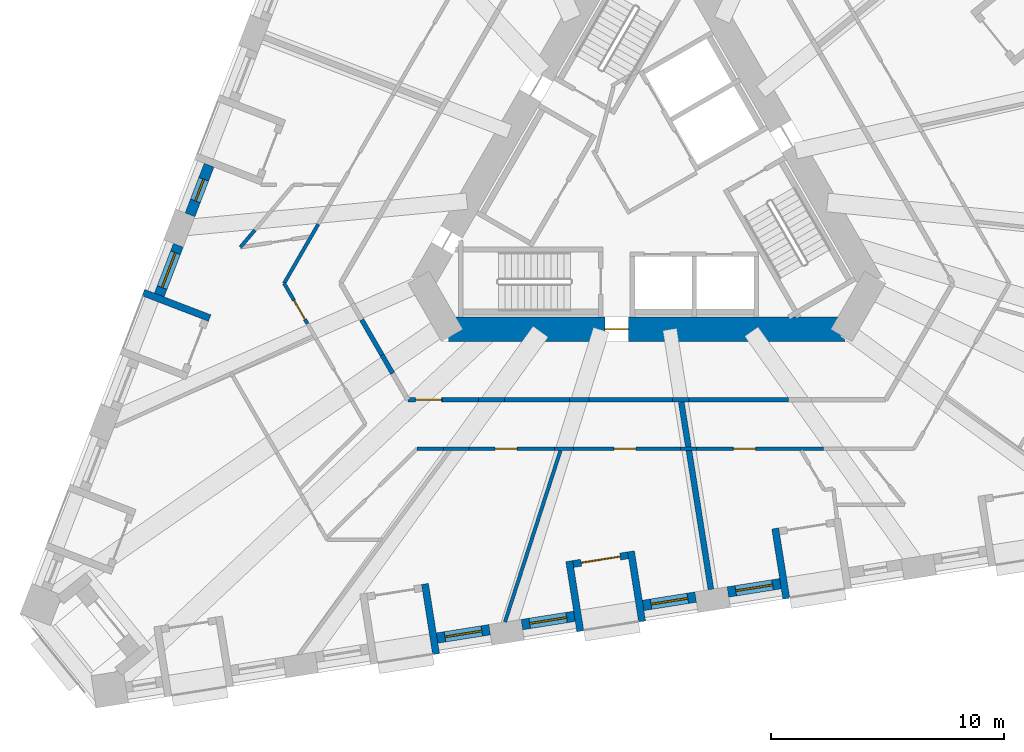
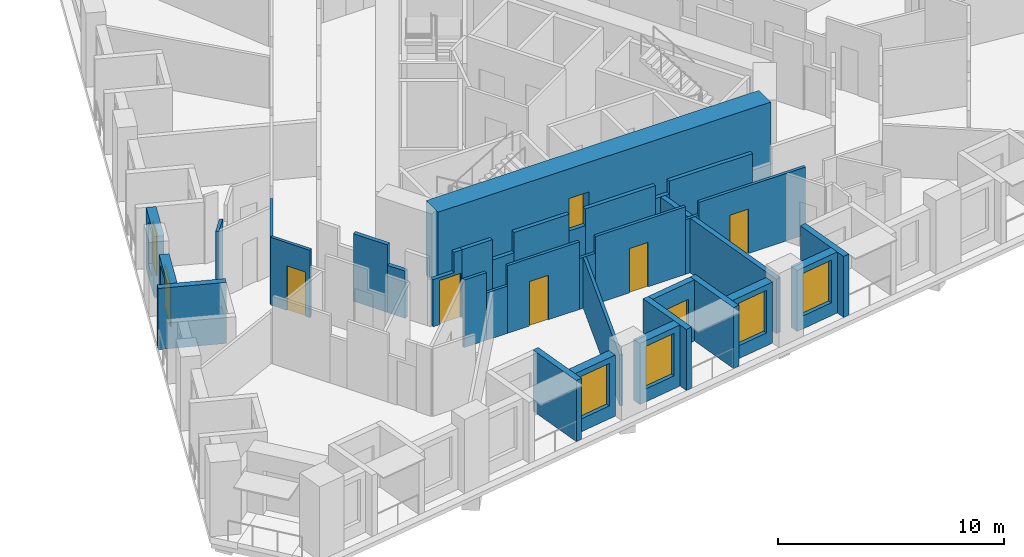
# One storey, part 3 of 14: 35 walls, 7 doors, 6 windows, 13 openings.
"""IFC4 building model written with IfcOpenShell, lengths in metres."""

from ifc_helpers import new_model, si_unit, direction, frame, frame_2d, origin, place, context, subcontext, project, spatial, polyline, rectangle, outline, extrude, material, layer, layer_set, type_object, element, fill, save


model = new_model("IFC4")

# Units and contexts
model_context = context("Model", 3, precision=1e-05, world=origin(), true_north=direction((0.0, 1.0)))
body_context = subcontext(model_context, "Body", "Model", "MODEL_VIEW")
ifc_project = project(units=[si_unit("LENGTHUNIT", "METRE"), si_unit("AREAUNIT", "SQUARE_METRE"), si_unit("VOLUMEUNIT", "CUBIC_METRE"), si_unit("PLANEANGLEUNIT", "RADIAN"), si_unit("MASSUNIT", "GRAM", prefix="KILO")], contexts=[model_context])

# Site, building, storey
site_placement = place(None, origin())
site = spatial("IfcSite", under=ifc_project, at=site_placement, CompositionType="ELEMENT")
building_placement = place(site_placement, origin())
building = spatial("IfcBuilding", under=site, at=building_placement, Name="Tramontana Tower", CompositionType="ELEMENT")
storey_placement = place(building_placement, frame((0.0, 0.0, 59.199951171875)))
storey = spatial("IfcBuildingStorey", under=building, at=storey_placement, Name="L12", CompositionType="ELEMENT", Elevation=59.199951171875)

# Wall, opening, door
ifc_material_1 = material(Name="Concrete 70 MPa", Category="concrete")
ifc_layer_1 = layer(ifc_material_1, 1.050048828125)
ifc_layer_set_1 = layer_set([ifc_layer_1], Name="Core wall 1050 70 MPa")
wall_type_1 = type_object("IfcWallType", Name="Core wall 1050 70 MPa", PredefinedType="SHEAR", material=ifc_layer_set_1)
wall_1_placement = place(storey_placement, frame((-8.50146484375, -6.22509765625, 0.0), z_axis=(0.0, 0.0, 1.0), x_axis=(1.0, 0.0, 0.0)))
wall_1 = element("IfcWall", 1, at=wall_1_placement, inside=storey, type_object=wall_type_1, Name="Core wall C3 L12", PredefinedType="SHEAR", context=body_context, shape_type="SweptSolid", body=[
    extrude(rectangle(XDim=17.0029296875, YDim=1.050048828125, at=frame_2d((8.50146484375, 0.0))), origin(), (0.0, 0.0, 1.0), 4.0),
])
opening_1_placement = place(wall_1_placement, frame((6.70654296875, 0.0, 0.0)))
opening_1 = element("IfcOpeningElement", 2, at=opening_1_placement, cuts=wall_1, Name="Opening RG2", PredefinedType="OPENING", context=body_context, shape_type="SweptSolid", body=[
    extrude(rectangle(XDim=1.0, YDim=2.39990234375, at=frame_2d((0.5, 1.199951171875))), frame((0.0, 0.534912109375, 0.0), z_axis=(0.0, -1.0, 0.0), x_axis=(1.0, 0.0, 0.0)), (0.0, 0.0, 1.0), 1.070068359375),
])
ifc_material_2 = material(Name="Painted steel", Category="steel")
door_type_1 = type_object("IfcDoorType", Name="RING DOOR 1000", OperationType="SINGLE_SWING_LEFT", PredefinedType="DOOR", material=ifc_material_2)
door_1_placement = place(opening_1_placement, origin())
door_1 = element("IfcDoor", 3, at=door_1_placement, inside=storey, type_object=door_type_1, Name="Door RG2", OperationType="SINGLE_SWING_RIGHT", OverallHeight=2.39990234375, OverallWidth=1.0, PredefinedType="DOOR", context=body_context, shape_type="SweptSolid", body=[
    extrude(rectangle(XDim=1.0, YDim=2.39990234375, at=frame_2d((0.5, 1.199951171875))), frame((0.0, 0.02490234375, 0.0), z_axis=(0.0, -1.0, 0.0), x_axis=(1.0, 0.0, 0.0)), (0.0, 0.0, 1.0), 0.050048828125),
])
fill(opening_1, door_1)

# Walls
ifc_material_3 = material(Name="Blockwork", Category="masonry")
ifc_layer_2 = layer(ifc_material_3, 0.199951171875)
ifc_layer_set_2 = layer_set([ifc_layer_2], Name="ENTRY WALL 200")
wall_type_2 = type_object("IfcWallType", Name="ENTRY WALL 200", PredefinedType="SOLIDWALL", material=ifc_layer_set_2)
wall_2_placement = place(storey_placement, frame((6.076171875, -9.25, 0.0), z_axis=(0.0, 0.0, 1.0), x_axis=(-1.0, 0.0, 0.0)))
element("IfcWall", 4, at=wall_2_placement, inside=storey, type_object=wall_type_2, Name="Wall v10-ew2-2", PredefinedType="SOLIDWALL", context=body_context, shape_type="SweptSolid", body=[
    extrude(rectangle(XDim=4.2568359375, YDim=0.199951171875, at=frame_2d((2.12841796875, 0.0))), origin(), (0.0, 0.0, 1.0), 3.650146484375),
])
wall_3_placement = place(storey_placement, frame((1.8193359375, -9.25, 0.0), z_axis=(0.0, 0.0, 1.0), x_axis=(-1.0, 0.0, 0.0)))
element("IfcWall", 5, at=wall_3_placement, inside=storey, type_object=wall_type_2, Name="Wall v10-ew2-3", PredefinedType="SOLIDWALL", context=body_context, shape_type="SweptSolid", body=[
    extrude(rectangle(XDim=0.708740234375, YDim=0.199951171875, at=frame_2d((0.3544921875, 0.0))), origin(), (0.0, 0.0, 1.0), 2.949951171875),
])
wall_4_placement = place(storey_placement, frame((1.110595703125, -9.25, 0.0), z_axis=(0.0, 0.0, 1.0), x_axis=(-1.0, 0.0, 0.0)))
element("IfcWall", 6, at=wall_4_placement, inside=storey, type_object=wall_type_2, Name="Wall v10-ew2-4", PredefinedType="SOLIDWALL", context=body_context, shape_type="SweptSolid", body=[
    extrude(rectangle(XDim=3.585205078125, YDim=0.199951171875, at=frame_2d((1.79248046875, 0.0))), origin(), (0.0, 0.0, 1.0), 3.650146484375),
])
wall_5_placement = place(storey_placement, frame((-2.474609375, -9.25, 0.0), z_axis=(0.0, 0.0, 1.0), x_axis=(-1.0, 0.0, 0.0)))
element("IfcWall", 7, at=wall_5_placement, inside=storey, type_object=wall_type_2, Name="Wall v10-ew2-5", PredefinedType="SOLIDWALL", context=body_context, shape_type="SweptSolid", body=[
    extrude(rectangle(XDim=0.838134765625, YDim=0.199951171875, at=frame_2d((0.4189453125, 0.0))), origin(), (0.0, 0.0, 1.0), 2.75),
])
wall_6_placement = place(storey_placement, frame((-3.312744140625, -9.25, 0.0), z_axis=(0.0, 0.0, 1.0), x_axis=(-1.0, 0.0, 0.0)))
element("IfcWall", 8, at=wall_6_placement, inside=storey, type_object=wall_type_2, Name="Wall v10-ew2-6", PredefinedType="SOLIDWALL", context=body_context, shape_type="SweptSolid", body=[
    extrude(rectangle(XDim=2.793701171875, YDim=0.199951171875, at=frame_2d((1.39697265625, 0.0))), origin(), (0.0, 0.0, 1.0), 3.650146484375),
])
wall_7_placement = place(storey_placement, frame((-6.1064453125, -9.25, 0.0), z_axis=(0.0, 0.0, 1.0), x_axis=(-1.0, 0.0, 0.0)))
element("IfcWall", 9, at=wall_7_placement, inside=storey, type_object=wall_type_2, Name="Wall v10-ew2-7", PredefinedType="SOLIDWALL", context=body_context, shape_type="SweptSolid", body=[
    extrude(rectangle(XDim=1.10888671875, YDim=0.199951171875, at=frame_2d((0.554443359375, 0.0))), origin(), (0.0, 0.0, 1.0), 2.550048828125),
])
wall_8_placement = place(storey_placement, frame((-7.21533203125, -9.25, 0.0), z_axis=(0.0, 0.0, 1.0), x_axis=(-1.0, 0.0, 0.0)))
element("IfcWall", 10, at=wall_8_placement, inside=storey, type_object=wall_type_2, Name="Wall v10-ew2-8", PredefinedType="SOLIDWALL", context=body_context, shape_type="SweptSolid", body=[
    extrude(rectangle(XDim=1.552978515625, YDim=0.199951171875, at=frame_2d((0.7763671875, 0.0))), origin(), (0.0, 0.0, 1.0), 3.650146484375),
])

# Wall, opening, door
wall_9_placement = place(storey_placement, frame((-10.248046875, -9.25, 0.0), z_axis=(0.0, 0.0, 1.0), x_axis=(1.0, 0.0, 0.0)))
wall_9 = element("IfcWall", 11, at=wall_9_placement, inside=storey, type_object=wall_type_2, Name="Wall v10-ew2-9", PredefinedType="SOLIDWALL", context=body_context, shape_type="SweptSolid", body=[
    extrude(outline(polyline([(0.0, 0.0), (1.479736328125, 0.0), (1.4794921875, 3.650146484375), (1.0703125, 3.650146484375), (1.0703125, 2.550048828125), (0.0, 2.550048828125), (0.0, 0.0)])), frame((0.0, 0.10009765625, 0.0), z_axis=(0.0, -1.0, 0.0), x_axis=(1.0, 0.0, 0.0)), (0.0, 0.0, 1.0), 0.199951171875),
])
opening_2_placement = place(wall_9_placement, frame((0.32958984375, 0.0, 0.0)))
opening_2 = element("IfcOpeningElement", 12, at=opening_2_placement, cuts=wall_9, Name="Opening B1A-29", PredefinedType="OPENING", context=body_context, shape_type="SweptSolid", body=[
    extrude(rectangle(XDim=1.10009765625, YDim=2.39990234375, at=frame_2d((0.550048828125, 1.199951171875))), frame((0.0, 0.10986328125, 0.0), z_axis=(0.0, -1.0, 0.0), x_axis=(1.0, 0.0, 0.0)), (0.0, 0.0, 1.0), 0.219970703125),
])
ifc_material_4 = material(Name="Painted timber", Category="wood")
door_type_2 = type_object("IfcDoorType", Name="DOOR ENTRY 1100", OperationType="SINGLE_SWING_LEFT", PredefinedType="DOOR", material=ifc_material_4)
door_2_placement = place(opening_2_placement, origin())
door_2 = element("IfcDoor", 13, at=door_2_placement, inside=storey, type_object=door_type_2, Name="Door B1A-29", OperationType="SINGLE_SWING_LEFT", OverallHeight=2.39990234375, OverallWidth=1.10009765625, PredefinedType="DOOR", context=body_context, shape_type="SweptSolid", body=[
    extrude(rectangle(XDim=1.10009765625, YDim=2.39990234375, at=frame_2d((0.550048828125, 1.199951171875))), frame((0.0, 0.02490234375, 0.0), z_axis=(0.0, -1.0, 0.0), x_axis=(1.0, 0.0, 0.0)), (0.0, 0.0, 1.0), 0.050048828125),
])
fill(opening_2, door_2)

# Walls
wall_10_placement = place(storey_placement, frame((-10.904296875, -8.11328125, 0.0), z_axis=(0.0, 0.0, 1.0), x_axis=(-0.499948710669, 0.866055013668, 0.0)))
element("IfcWall", 14, at=wall_10_placement, inside=storey, type_object=wall_type_2, Name="Wall v10-ew3-2", PredefinedType="SOLIDWALL", context=body_context, shape_type="SweptSolid", body=[
    extrude(rectangle(XDim=0.90283203125, YDim=0.199951171875, at=frame_2d((0.451416015625, 0.0))), origin(), (0.0, 0.0, 1.0), 2.550048828125),
])
wall_11_placement = place(storey_placement, frame((-11.355712890625, -7.331298828125, 0.0), z_axis=(0.0, 0.0, 1.0), x_axis=(-0.50000494408, 0.866022549299, 0.0)))
element("IfcWall", 15, at=wall_11_placement, inside=storey, type_object=wall_type_2, Name="Wall v10-ew3-3", PredefinedType="SOLIDWALL", context=body_context, shape_type="SweptSolid", body=[
    extrude(rectangle(XDim=1.74560546875, YDim=0.199951171875, at=frame_2d((0.872802734375, 0.0))), origin(), (0.0, 0.0, 1.0), 3.650146484375),
])

# Wall, opening, window
ifc_material_5 = material(Name="Precast concrete 60 MPa", Category="concrete")
ifc_layer_3 = layer(ifc_material_5, 0.449951171875)
ifc_layer_set_3 = layer_set([ifc_layer_3], Name="Precast concrete 60 MPa, 450 mm")
wall_type_3 = type_object("IfcWallType", Name="EW1 Stone-faced precast wall 450", PredefinedType="SOLIDWALL", material=ifc_layer_set_3)
wall_12_placement = place(storey_placement, frame((-18.779052734375, 0.818115234375, 0.0), z_axis=(0.0, 0.0, 1.0), x_axis=(-0.358355550725, -0.933585185864, 0.0)))
wall_12 = element("IfcWall", 16, at=wall_12_placement, inside=storey, type_object=wall_type_3, Name="External wall L12 face 0 bay 4", PredefinedType="SOLIDWALL", context=body_context, shape_type="SweptSolid", body=[
    extrude(rectangle(XDim=2.282958984375, YDim=0.449951171875, at=frame_2d((1.1416015625, 0.0))), origin(), (0.0, 0.0, 1.0), 3.300048828125),
])
opening_3_placement = place(wall_12_placement, frame((0.6416015625, 0.0, 0.699951171875)))
opening_3 = element("IfcOpeningElement", 17, at=opening_3_placement, cuts=wall_12, Name="Opening N1", PredefinedType="OPENING", context=body_context, shape_type="SweptSolid", body=[
    extrude(rectangle(XDim=1.0, YDim=2.300048828125, at=frame_2d((0.5, 1.14990234375))), frame((0.0, 0.23486328125, 0.0), z_axis=(0.0, -1.0, 0.0), x_axis=(1.0, 0.0, 0.0)), (0.0, 0.0, 1.0), 0.469970703125),
])
ifc_material_6 = material(Name="Aluminum frame, double glazing unit", Category="aluminium")
window_type_1 = type_object("IfcWindowType", Name="N1 Window 1 x 2.3", PartitioningType="SINGLE_PANEL", PredefinedType="WINDOW", material=ifc_material_6)
window_1_placement = place(opening_3_placement, origin())
window_1 = element("IfcWindow", 18, at=window_1_placement, inside=storey, type_object=window_type_1, Name="Window N1 L12 face 0 module 12", OverallHeight=2.300048828125, OverallWidth=1.0, PartitioningType="SINGLE_PANEL", PredefinedType="WINDOW", context=body_context, shape_type="SweptSolid", body=[
    extrude(rectangle(XDim=1.0, YDim=2.300048828125, at=frame_2d((0.5, 1.14990234375))), frame((0.0, 0.030029296875, 0.0), z_axis=(0.0, -1.0, 0.0), x_axis=(1.0, 0.0, 0.0)), (0.0, 0.0, 1.0), 0.06005859375),
])
fill(opening_3, window_1)

wall_13_placement = place(storey_placement, frame((-20.098876953125, -2.6201171875, 0.0), z_axis=(0.0, 0.0, 1.0), x_axis=(-0.358355550725, -0.933585185864, 0.0)))
wall_13 = element("IfcWall", 19, at=wall_13_placement, inside=storey, type_object=wall_type_3, Name="External wall L12 face 0 bay 5", PredefinedType="SOLIDWALL", context=body_context, shape_type="SweptSolid", body=[
    extrude(rectangle(XDim=2.282958984375, YDim=0.449951171875, at=frame_2d((1.1416015625, 0.0))), origin(), (0.0, 0.0, 1.0), 3.300048828125),
])
opening_4_placement = place(wall_13_placement, frame((0.341552734375, 0.0, 0.699951171875)))
opening_4 = element("IfcOpeningElement", 20, at=opening_4_placement, cuts=wall_13, Name="Opening M1", PredefinedType="OPENING", context=body_context, shape_type="SweptSolid", body=[
    extrude(rectangle(XDim=1.60009765625, YDim=2.300048828125, at=frame_2d((0.800048828125, 1.14990234375))), frame((0.0, 0.23486328125, 0.0), z_axis=(0.0, -1.0, 0.0), x_axis=(1.0, 0.0, 0.0)), (0.0, 0.0, 1.0), 0.469970703125),
])
ifc_material_7 = material(Name="Aluminum frame, double glazing unit", Category="aluminium")
window_type_2 = type_object("IfcWindowType", Name="M1 Window 1.6 x 2.3", PartitioningType="SINGLE_PANEL", PredefinedType="WINDOW", material=ifc_material_7)
window_2_placement = place(opening_4_placement, origin())
window_2 = element("IfcWindow", 21, at=window_2_placement, inside=storey, type_object=window_type_2, Name="Window M1 L12 face 0 module 13", OverallHeight=2.300048828125, OverallWidth=1.60009765625, PartitioningType="SINGLE_PANEL", PredefinedType="WINDOW", context=body_context, shape_type="SweptSolid", body=[
    extrude(rectangle(XDim=1.60009765625, YDim=2.300048828125, at=frame_2d((0.800048828125, 1.14990234375))), frame((0.0, 0.030029296875, 0.0), z_axis=(0.0, -1.0, 0.0), x_axis=(1.0, 0.0, 0.0)), (0.0, 0.0, 1.0), 0.06005859375),
])
fill(opening_4, window_2)

wall_14_placement = place(storey_placement, frame((-8.99658203125, -19.47216796875, 0.0), z_axis=(0.0, 0.0, 1.0), x_axis=(0.987685675151, 0.156451293065, 0.0)))
wall_14 = element("IfcWall", 22, at=wall_14_placement, inside=storey, type_object=wall_type_3, Name="External wall L12 face 1 bay 2", PredefinedType="SOLIDWALL", context=body_context, shape_type="SweptSolid", body=[
    extrude(rectangle(XDim=2.282958984375, YDim=0.449951171875, at=frame_2d((1.1416015625, 0.0))), origin(), (0.0, 0.0, 1.0), 3.300048828125),
])
opening_5_placement = place(wall_14_placement, frame((0.341552734375, 0.0, 0.699951171875)))
opening_5 = element("IfcOpeningElement", 23, at=opening_5_placement, cuts=wall_14, Name="Opening M1", PredefinedType="OPENING", context=body_context, shape_type="SweptSolid", body=[
    extrude(rectangle(XDim=1.60009765625, YDim=2.300048828125, at=frame_2d((0.800048828125, 1.14990234375))), frame((0.0, 0.23486328125, 0.0), z_axis=(0.0, -1.0, 0.0), x_axis=(1.0, 0.0, 0.0)), (0.0, 0.0, 1.0), 0.469970703125),
])
window_3_placement = place(opening_5_placement, origin())
window_3 = element("IfcWindow", 24, at=window_3_placement, inside=storey, type_object=window_type_2, Name="Window M1 L12 face 1 module 6", OverallHeight=2.300048828125, OverallWidth=1.60009765625, PartitioningType="SINGLE_PANEL", PredefinedType="WINDOW", context=body_context, shape_type="SweptSolid", body=[
    extrude(rectangle(XDim=1.60009765625, YDim=2.300048828125, at=frame_2d((0.800048828125, 1.14990234375))), frame((0.0, 0.030029296875, 0.0), z_axis=(0.0, -1.0, 0.0), x_axis=(1.0, 0.0, 0.0)), (0.0, 0.0, 1.0), 0.06005859375),
])
fill(opening_5, window_3)

wall_15_placement = place(storey_placement, frame((-5.35888671875, -18.89599609375, 0.0), z_axis=(0.0, 0.0, 1.0), x_axis=(0.987685675151, 0.156451293065, 0.0)))
wall_15 = element("IfcWall", 25, at=wall_15_placement, inside=storey, type_object=wall_type_3, Name="External wall L12 face 1 bay 3", PredefinedType="SOLIDWALL", context=body_context, shape_type="SweptSolid", body=[
    extrude(rectangle(XDim=2.282958984375, YDim=0.449951171875, at=frame_2d((1.1416015625, 0.0))), origin(), (0.0, 0.0, 1.0), 3.300048828125),
])
opening_6_placement = place(wall_15_placement, frame((0.341552734375, 0.0, 0.699951171875)))
opening_6 = element("IfcOpeningElement", 26, at=opening_6_placement, cuts=wall_15, Name="Opening M1", PredefinedType="OPENING", context=body_context, shape_type="SweptSolid", body=[
    extrude(rectangle(XDim=1.60009765625, YDim=2.300048828125, at=frame_2d((0.800048828125, 1.14990234375))), frame((0.0, 0.23486328125, 0.0), z_axis=(0.0, -1.0, 0.0), x_axis=(1.0, 0.0, 0.0)), (0.0, 0.0, 1.0), 0.469970703125),
])
window_4_placement = place(opening_6_placement, origin())
window_4 = element("IfcWindow", 27, at=window_4_placement, inside=storey, type_object=window_type_2, Name="Window M1 L12 face 1 module 7", OverallHeight=2.300048828125, OverallWidth=1.60009765625, PartitioningType="SINGLE_PANEL", PredefinedType="WINDOW", context=body_context, shape_type="SweptSolid", body=[
    extrude(rectangle(XDim=1.60009765625, YDim=2.300048828125, at=frame_2d((0.800048828125, 1.14990234375))), frame((0.0, 0.030029296875, 0.0), z_axis=(0.0, -1.0, 0.0), x_axis=(1.0, 0.0, 0.0)), (0.0, 0.0, 1.0), 0.06005859375),
])
fill(opening_6, window_4)

wall_16_placement = place(storey_placement, frame((-0.15771484375, -18.072265625, 0.0), z_axis=(0.0, 0.0, 1.0), x_axis=(0.987685675151, 0.156451293065, 0.0)))
wall_16 = element("IfcWall", 28, at=wall_16_placement, inside=storey, type_object=wall_type_3, Name="External wall L12 face 1 bay 3", PredefinedType="SOLIDWALL", context=body_context, shape_type="SweptSolid", body=[
    extrude(rectangle(XDim=2.282958984375, YDim=0.449951171875, at=frame_2d((1.1416015625, 0.0))), origin(), (0.0, 0.0, 1.0), 3.300048828125),
])
opening_7_placement = place(wall_16_placement, frame((0.341552734375, 0.0, 0.699951171875)))
opening_7 = element("IfcOpeningElement", 29, at=opening_7_placement, cuts=wall_16, Name="Opening M1", PredefinedType="OPENING", context=body_context, shape_type="SweptSolid", body=[
    extrude(rectangle(XDim=1.60009765625, YDim=2.300048828125, at=frame_2d((0.800048828125, 1.14990234375))), frame((0.0, 0.23486328125, 0.0), z_axis=(0.0, -1.0, 0.0), x_axis=(1.0, 0.0, 0.0)), (0.0, 0.0, 1.0), 0.469970703125),
])
window_5_placement = place(opening_7_placement, origin())
window_5 = element("IfcWindow", 30, at=window_5_placement, inside=storey, type_object=window_type_2, Name="Window M1 L12 face 1 module 9", OverallHeight=2.300048828125, OverallWidth=1.60009765625, PartitioningType="SINGLE_PANEL", PredefinedType="WINDOW", context=body_context, shape_type="SweptSolid", body=[
    extrude(rectangle(XDim=1.60009765625, YDim=2.300048828125, at=frame_2d((0.800048828125, 1.14990234375))), frame((0.0, 0.030029296875, 0.0), z_axis=(0.0, -1.0, 0.0), x_axis=(1.0, 0.0, 0.0)), (0.0, 0.0, 1.0), 0.06005859375),
])
fill(opening_7, window_5)

wall_17_placement = place(storey_placement, frame((3.479736328125, -17.49609375, 0.0), z_axis=(0.0, 0.0, 1.0), x_axis=(0.987685675151, 0.156451293065, 0.0)))
wall_17 = element("IfcWall", 31, at=wall_17_placement, inside=storey, type_object=wall_type_3, Name="External wall L12 face 1 bay 4", PredefinedType="SOLIDWALL", context=body_context, shape_type="SweptSolid", body=[
    extrude(rectangle(XDim=2.282958984375, YDim=0.449951171875, at=frame_2d((1.1416015625, 0.0))), origin(), (0.0, 0.0, 1.0), 3.300048828125),
])
opening_8_placement = place(wall_17_placement, frame((0.341552734375, 0.0, 0.699951171875)))
opening_8 = element("IfcOpeningElement", 32, at=opening_8_placement, cuts=wall_17, Name="Opening M1", PredefinedType="OPENING", context=body_context, shape_type="SweptSolid", body=[
    extrude(rectangle(XDim=1.60009765625, YDim=2.300048828125, at=frame_2d((0.800048828125, 1.14990234375))), frame((0.0, 0.23486328125, 0.0), z_axis=(0.0, -1.0, 0.0), x_axis=(1.0, 0.0, 0.0)), (0.0, 0.0, 1.0), 0.469970703125),
])
window_6_placement = place(opening_8_placement, origin())
window_6 = element("IfcWindow", 33, at=window_6_placement, inside=storey, type_object=window_type_2, Name="Window M1 L12 face 1 module 10", OverallHeight=2.300048828125, OverallWidth=1.60009765625, PartitioningType="SINGLE_PANEL", PredefinedType="WINDOW", context=body_context, shape_type="SweptSolid", body=[
    extrude(rectangle(XDim=1.60009765625, YDim=2.300048828125, at=frame_2d((0.800048828125, 1.14990234375))), frame((0.0, 0.030029296875, 0.0), z_axis=(0.0, -1.0, 0.0), x_axis=(1.0, 0.0, 0.0)), (0.0, 0.0, 1.0), 0.06005859375),
])
fill(opening_8, window_6)

# Walls
ifc_material_8 = material(Name="Precast concrete 60 MPa", Category="concrete")
ifc_layer_4 = layer(ifc_material_8, 0.300048828125)
ifc_layer_set_4 = layer_set([ifc_layer_4], Name="LW1 Stone-faced loggia wall 300")
wall_type_4 = type_object("IfcWallType", Name="LW1 Stone-faced loggia wall 300", PredefinedType="SOLIDWALL", material=ifc_layer_set_4)
for number, where, z_axis, x_axis, name in (
    (34, (-21.60107421875, -4.649658203125, 0.0), (0.0, 0.0, 1.0), (0.933580593625, -0.358367514161, 0.0), "Loggia return L12 G1S0.13a"),
    (35, (-9.0390625, -20.162353515625, 0.0), (0.0, 0.0, 1.0), (-0.156488687365, 0.987679751097, 0.0), "Loggia return L12 G1S1.4b"),
):
    element("IfcWall", number, at=place(storey_placement, frame(where, z_axis=z_axis, x_axis=x_axis)), inside=storey, type_object=wall_type_4, Name=name, PredefinedType="SOLIDWALL", context=body_context, shape_type="SweptSolid", body=[
        extrude(rectangle(XDim=3.050048828125, YDim=0.300048828125, at=frame_2d((1.52490234375, 0.0))), origin(), (0.0, 0.0, 1.0), 3.300048828125),
    ])

# Wall, opening, door
wall_18_placement = place(storey_placement, frame((-3.15576171875, -16.294189453125, 0.0), z_axis=(0.0, 0.0, 1.0), x_axis=(0.987685586014, 0.156451855793, 0.0)))
wall_18 = element("IfcWall", 36, at=wall_18_placement, inside=storey, type_object=wall_type_4, Name="Loggia wall L12 G1S1.7", PredefinedType="SOLIDWALL", context=body_context, shape_type="SweptSolid", body=[
    extrude(rectangle(XDim=2.3828125, YDim=0.300048828125, at=frame_2d((1.19140625, 0.0))), origin(), (0.0, 0.0, 1.0), 3.300048828125),
])
opening_9_placement = place(wall_18_placement, frame((0.341552734375, 0.0, 0.0)))
opening_9 = element("IfcOpeningElement", 37, at=opening_9_placement, cuts=wall_18, Name="Opening BD-1S1-07", PredefinedType="OPENING", context=body_context, shape_type="SweptSolid", body=[
    extrude(rectangle(XDim=1.699951171875, YDim=2.39990234375, at=frame_2d((0.85009765625, 1.199951171875))), frame((0.0, 0.159912109375, 0.0), z_axis=(0.0, -1.0, 0.0), x_axis=(1.0, 0.0, 0.0)), (0.0, 0.0, 1.0), 0.320068359375),
])
ifc_material_9 = material(Name="Aluminum frame, double glazing unit", Category="aluminium")
door_type_3 = type_object("IfcDoorType", Name="BD1 Sliding door 1.7 x 2.4", OperationType="SLIDING_TO_LEFT", PredefinedType="DOOR", material=ifc_material_9)
door_3_placement = place(opening_9_placement, origin())
door_3 = element("IfcDoor", 38, at=door_3_placement, inside=storey, type_object=door_type_3, Name="Loggia door L12 G1S1.7", OperationType="SLIDING_TO_LEFT", OverallHeight=2.39990234375, OverallWidth=1.699951171875, PredefinedType="DOOR", context=body_context, shape_type="SweptSolid", body=[
    extrude(rectangle(XDim=1.699951171875, YDim=2.39990234375, at=frame_2d((0.85009765625, 1.199951171875))), frame((0.0, 0.02490234375, 0.0), z_axis=(0.0, -1.0, 0.0), x_axis=(1.0, 0.0, 0.0)), (0.0, 0.0, 1.0), 0.050048828125),
])
fill(opening_9, door_3)

# Walls
for number, where, z_axis, x_axis, name in (
    (39, (-2.850341796875, -19.18212890625, 0.0), (0.0, 0.0, 1.0), (-0.156410600741, 0.987692120033, 0.0), "Loggia return L12 G1S1.7a"),
    (40, (-0.200439453125, -18.762451171875, 0.0), (0.0, 0.0, 1.0), (-0.156410600741, 0.987692120033, 0.0), "Loggia return L12 G1S1.7b"),
    (41, (5.988525390625, -17.7822265625, 0.0), (0.0, 0.0, 1.0), (-0.156488687365, 0.987679751097, 0.0), "Loggia return L12 G1S1.10a"),
):
    element("IfcWall", number, at=place(storey_placement, frame(where, z_axis=z_axis, x_axis=x_axis)), inside=storey, type_object=wall_type_4, Name=name, PredefinedType="SOLIDWALL", context=body_context, shape_type="SweptSolid", body=[
        extrude(rectangle(XDim=3.050048828125, YDim=0.300048828125, at=frame_2d((1.52490234375, 0.0))), origin(), (0.0, 0.0, 1.0), 3.300048828125),
    ])
ifc_material_10 = material(Name="Gypsum board partition")
ifc_layer_5 = layer(ifc_material_10, 0.14990234375)
ifc_layer_set_5 = layer_set([ifc_layer_5], Name="PARTITION 150")
wall_type_5 = type_object("IfcWallType", Name="PARTITION 150", PredefinedType="PARTITIONING", material=ifc_layer_set_5)
wall_19_placement = place(storey_placement, frame((-17.43798828125, -2.703369140625, 0.0), z_axis=(0.0, 0.0, 1.0), x_axis=(0.647272566257, 0.76225863391, 0.0)))
element("IfcWall", 42, at=wall_19_placement, inside=storey, type_object=wall_type_5, Name="Wall v10-pw01-0", PredefinedType="PARTITIONING", context=body_context, shape_type="SweptSolid", body=[
    extrude(rectangle(XDim=0.9619140625, YDim=0.14990234375, at=frame_2d((0.48095703125, 0.0))), origin(), (0.0, 0.0, 1.0), 3.650146484375),
])

# Wall, opening, door
wall_20_placement = place(storey_placement, frame((-14.55810546875, -5.984619140625, 0.0), z_axis=(0.0, 0.0, 1.0), x_axis=(-0.499993265928, 0.866029291668, 0.0)))
wall_20 = element("IfcWall", 43, at=wall_20_placement, inside=storey, type_object=wall_type_5, Name="Wall v10-pw07-4", PredefinedType="PARTITIONING", context=body_context, shape_type="SweptSolid", body=[
    extrude(rectangle(XDim=2.0029296875, YDim=0.14990234375, at=frame_2d((1.00146484375, 0.0))), origin(), (0.0, 0.0, 1.0), 3.650146484375),
])
opening_10_placement = place(wall_20_placement, frame((0.210693359375, 0.0, 0.0)))
opening_10 = element("IfcOpeningElement", 44, at=opening_10_placement, cuts=wall_20, Name="Opening B1A-13", PredefinedType="OPENING", context=body_context, shape_type="SweptSolid", body=[
    extrude(rectangle(XDim=0.949951171875, YDim=2.39990234375, at=frame_2d((0.47509765625, 1.199951171875))), frame((0.0, 0.0849609375, 0.0), z_axis=(0.0, -1.0, 0.0), x_axis=(1.0, 0.0, 0.0)), (0.0, 0.0, 1.0), 0.169921875),
])
ifc_material_11 = material(Name="Painted timber", Category="wood")
door_type_4 = type_object("IfcDoorType", Name="DOOR ROOM 950", OperationType="SINGLE_SWING_LEFT", PredefinedType="DOOR", material=ifc_material_11)
door_4_placement = place(opening_10_placement, origin())
door_4 = element("IfcDoor", 45, at=door_4_placement, inside=storey, type_object=door_type_4, Name="Door B1A-13", OperationType="SINGLE_SWING_LEFT", OverallHeight=2.39990234375, OverallWidth=0.949951171875, PredefinedType="DOOR", context=body_context, shape_type="SweptSolid", body=[
    extrude(rectangle(XDim=0.949951171875, YDim=2.39990234375, at=frame_2d((0.47509765625, 1.199951171875))), frame((0.0, 0.02490234375, 0.0), z_axis=(0.0, -1.0, 0.0), x_axis=(1.0, 0.0, 0.0)), (0.0, 0.0, 1.0), 0.050048828125),
])
fill(opening_10, door_4)

# Walls
wall_21_placement = place(storey_placement, frame((-14.095703125, -1.714599609375, 0.0), z_axis=(0.0, 0.0, 1.0), x_axis=(-0.500013600279, -0.866017551517, 0.0)))
element("IfcWall", 46, at=wall_21_placement, inside=storey, type_object=wall_type_5, Name="Wall v10-pw16-8", PredefinedType="PARTITIONING", context=body_context, shape_type="SweptSolid", body=[
    extrude(rectangle(XDim=2.927734375, YDim=0.14990234375, at=frame_2d((1.4638671875, 0.0))), origin(), (0.0, 0.0, 1.0), 3.650146484375),
])
wall_22_placement = place(storey_placement, frame((-3.70166015625, -11.425048828125, 0.0), z_axis=(0.0, 0.0, 1.0), x_axis=(-0.308195921166, -0.951322907417, 0.0)))
element("IfcWall", 47, at=wall_22_placement, inside=storey, type_object=wall_type_5, Name="Wall v10-pw19-0", PredefinedType="PARTITIONING", context=body_context, shape_type="SweptSolid", body=[
    extrude(rectangle(XDim=7.734619140625, YDim=0.14990234375, at=frame_2d((3.8671875, 0.0))), origin(), (0.0, 0.0, 1.0), 2.75),
])

# Wall, opening, door
wall_23_placement = place(storey_placement, frame((7.582275390625, -11.35009765625, 0.0), z_axis=(0.0, 0.0, 1.0), x_axis=(-1.0, 0.0, 0.0)))
wall_23 = element("IfcWall", 48, at=wall_23_placement, inside=storey, type_object=wall_type_5, Name="Wall v10-pw35-2", PredefinedType="PARTITIONING", context=body_context, shape_type="SweptSolid", body=[
    extrude(rectangle(XDim=5.44287109375, YDim=0.14990234375, at=frame_2d((2.721435546875, 0.0))), origin(), (0.0, 0.0, 1.0), 3.650146484375),
])
opening_11_placement = place(wall_23_placement, frame((2.91552734375, 0.0, 0.0)))
opening_11 = element("IfcOpeningElement", 49, at=opening_11_placement, cuts=wall_23, Name="Opening B1A-22", PredefinedType="OPENING", context=body_context, shape_type="SweptSolid", body=[
    extrude(rectangle(XDim=0.949951171875, YDim=2.39990234375, at=frame_2d((0.47509765625, 1.199951171875))), frame((0.0, 0.0849609375, 0.0), z_axis=(0.0, -1.0, 0.0), x_axis=(1.0, 0.0, 0.0)), (0.0, 0.0, 1.0), 0.169921875),
])
door_5_placement = place(opening_11_placement, origin())
door_5 = element("IfcDoor", 50, at=door_5_placement, inside=storey, type_object=door_type_4, Name="Door B1A-22", OperationType="SINGLE_SWING_RIGHT", OverallHeight=2.39990234375, OverallWidth=0.949951171875, PredefinedType="DOOR", context=body_context, shape_type="SweptSolid", body=[
    extrude(rectangle(XDim=0.949951171875, YDim=2.39990234375, at=frame_2d((0.47509765625, 1.199951171875))), frame((0.0, 0.02490234375, 0.0), z_axis=(0.0, -1.0, 0.0), x_axis=(1.0, 0.0, 0.0)), (0.0, 0.0, 1.0), 0.050048828125),
])
fill(opening_11, door_5)

# Wall
wall_24_placement = place(storey_placement, frame((2.139404296875, -11.35009765625, 0.0), z_axis=(0.0, 0.0, 1.0), x_axis=(-1.0, 0.0, 0.0)))
element("IfcWall", 51, at=wall_24_placement, inside=storey, type_object=wall_type_5, Name="Wall v10-pw35-3", PredefinedType="PARTITIONING", context=body_context, shape_type="SweptSolid", body=[
    extrude(rectangle(XDim=0.683349609375, YDim=0.14990234375, at=frame_2d((0.341796875, 0.0))), origin(), (0.0, 0.0, 1.0), 2.949951171875),
])

# Wall, opening, door
wall_25_placement = place(storey_placement, frame((1.4560546875, -11.35009765625, 0.0), z_axis=(0.0, 0.0, 1.0), x_axis=(-1.0, 0.0, 0.0)))
wall_25 = element("IfcWall", 52, at=wall_25_placement, inside=storey, type_object=wall_type_5, Name="Wall v10-pw35-4", PredefinedType="PARTITIONING", context=body_context, shape_type="SweptSolid", body=[
    extrude(rectangle(XDim=4.600830078125, YDim=0.14990234375, at=frame_2d((2.30029296875, 0.0))), origin(), (0.0, 0.0, 1.0), 3.650146484375),
])
opening_12_placement = place(wall_25_placement, frame((1.92236328125, 0.0, 0.0)))
opening_12 = element("IfcOpeningElement", 53, at=opening_12_placement, cuts=wall_25, Name="Opening B1A-16", PredefinedType="OPENING", context=body_context, shape_type="SweptSolid", body=[
    extrude(rectangle(XDim=0.949951171875, YDim=2.39990234375, at=frame_2d((0.47509765625, 1.199951171875))), frame((0.0, 0.0849609375, 0.0), z_axis=(0.0, -1.0, 0.0), x_axis=(1.0, 0.0, 0.0)), (0.0, 0.0, 1.0), 0.169921875),
])
door_6_placement = place(opening_12_placement, origin())
door_6 = element("IfcDoor", 54, at=door_6_placement, inside=storey, type_object=door_type_4, Name="Door B1A-16", OperationType="SINGLE_SWING_RIGHT", OverallHeight=2.39990234375, OverallWidth=0.949951171875, PredefinedType="DOOR", context=body_context, shape_type="SweptSolid", body=[
    extrude(rectangle(XDim=0.949951171875, YDim=2.39990234375, at=frame_2d((0.47509765625, 1.199951171875))), frame((0.0, 0.02490234375, 0.0), z_axis=(0.0, -1.0, 0.0), x_axis=(1.0, 0.0, 0.0)), (0.0, 0.0, 1.0), 0.050048828125),
])
fill(opening_12, door_6)

# Wall
wall_26_placement = place(storey_placement, frame((-3.144775390625, -11.35009765625, 0.0), z_axis=(0.0, 0.0, 1.0), x_axis=(-1.0, 0.0, 0.0)))
element("IfcWall", 55, at=wall_26_placement, inside=storey, type_object=wall_type_5, Name="Wall v10-pw35-5", PredefinedType="PARTITIONING", context=body_context, shape_type="SweptSolid", body=[
    extrude(rectangle(XDim=0.81201171875, YDim=0.14990234375, at=frame_2d((0.406005859375, 0.0))), origin(), (0.0, 0.0, 1.0), 2.75),
])

# Wall, opening, door
wall_27_placement = place(storey_placement, frame((-3.956787109375, -11.35009765625, 0.0), z_axis=(0.0, 0.0, 1.0), x_axis=(-1.0, 0.0, 0.0)))
wall_27 = element("IfcWall", 56, at=wall_27_placement, inside=storey, type_object=wall_type_5, Name="Wall v10-pw35-6", PredefinedType="PARTITIONING", context=body_context, shape_type="SweptSolid", body=[
    extrude(rectangle(XDim=3.67724609375, YDim=0.14990234375, at=frame_2d((1.838623046875, 0.0))), origin(), (0.0, 0.0, 1.0), 3.650146484375),
])
opening_13_placement = place(wall_27_placement, frame((1.603515625, 0.0, 0.0)))
opening_13 = element("IfcOpeningElement", 57, at=opening_13_placement, cuts=wall_27, Name="Opening B1A-15", PredefinedType="OPENING", context=body_context, shape_type="SweptSolid", body=[
    extrude(rectangle(XDim=0.949951171875, YDim=2.39990234375, at=frame_2d((0.47509765625, 1.199951171875))), frame((0.0, 0.0849609375, 0.0), z_axis=(0.0, -1.0, 0.0), x_axis=(1.0, 0.0, 0.0)), (0.0, 0.0, 1.0), 0.169921875),
])
door_7_placement = place(opening_13_placement, origin())
door_7 = element("IfcDoor", 58, at=door_7_placement, inside=storey, type_object=door_type_4, Name="Door B1A-15", OperationType="SINGLE_SWING_LEFT", OverallHeight=2.39990234375, OverallWidth=0.949951171875, PredefinedType="DOOR", context=body_context, shape_type="SweptSolid", body=[
    extrude(rectangle(XDim=0.949951171875, YDim=2.39990234375, at=frame_2d((0.47509765625, 1.199951171875))), frame((0.0, 0.02490234375, 0.0), z_axis=(0.0, -1.0, 0.0), x_axis=(1.0, 0.0, 0.0)), (0.0, 0.0, 1.0), 0.050048828125),
])
fill(opening_13, door_7)

# Walls
wall_28_placement = place(storey_placement, frame((-7.634033203125, -11.35009765625, 0.0), z_axis=(0.0, 0.0, 1.0), x_axis=(-1.0, 0.0, 0.0)))
element("IfcWall", 59, at=wall_28_placement, inside=storey, type_object=wall_type_5, Name="Wall v10-pw35-7", PredefinedType="PARTITIONING", context=body_context, shape_type="SweptSolid", body=[
    extrude(rectangle(XDim=1.078125, YDim=0.14990234375, at=frame_2d((0.5390625, 0.0))), origin(), (0.0, 0.0, 1.0), 2.550048828125),
])
wall_29_placement = place(storey_placement, frame((-8.712158203125, -11.35009765625, 0.0), z_axis=(0.0, 0.0, 1.0), x_axis=(-1.0, 0.0, 0.0)))
element("IfcWall", 60, at=wall_29_placement, inside=storey, type_object=wall_type_5, Name="Wall v10-pw35-8", PredefinedType="PARTITIONING", context=body_context, shape_type="SweptSolid", body=[
    extrude(rectangle(XDim=1.146240234375, YDim=0.14990234375, at=frame_2d((0.5732421875, 0.0))), origin(), (0.0, 0.0, 1.0), 3.650146484375),
])
ifc_material_12 = material(Name="Blockwork", Category="masonry")
ifc_layer_6 = layer(ifc_material_12, 0.25)
ifc_layer_set_6 = layer_set([ifc_layer_6], Name="PARTY WALL 250")
wall_type_6 = type_object("IfcWallType", Name="PARTY WALL 250", PredefinedType="SOLIDWALL", material=ifc_layer_set_6)
wall_30_placement = place(storey_placement, frame((1.48095703125, -9.35009765625, 0.0), z_axis=(0.0, 0.0, 1.0), x_axis=(0.15642036173, -0.987690574237, 0.0)))
element("IfcWall", 61, at=wall_30_placement, inside=storey, type_object=wall_type_6, Name="Wall v10-pw21-0", PredefinedType="SOLIDWALL", context=body_context, shape_type="SweptSolid", body=[
    extrude(rectangle(XDim=8.13330078125, YDim=0.25, at=frame_2d((4.066650390625, 0.0))), origin(), (0.0, 0.0, 1.0), 2.949951171875),
])

save(model, "model.ifc")
